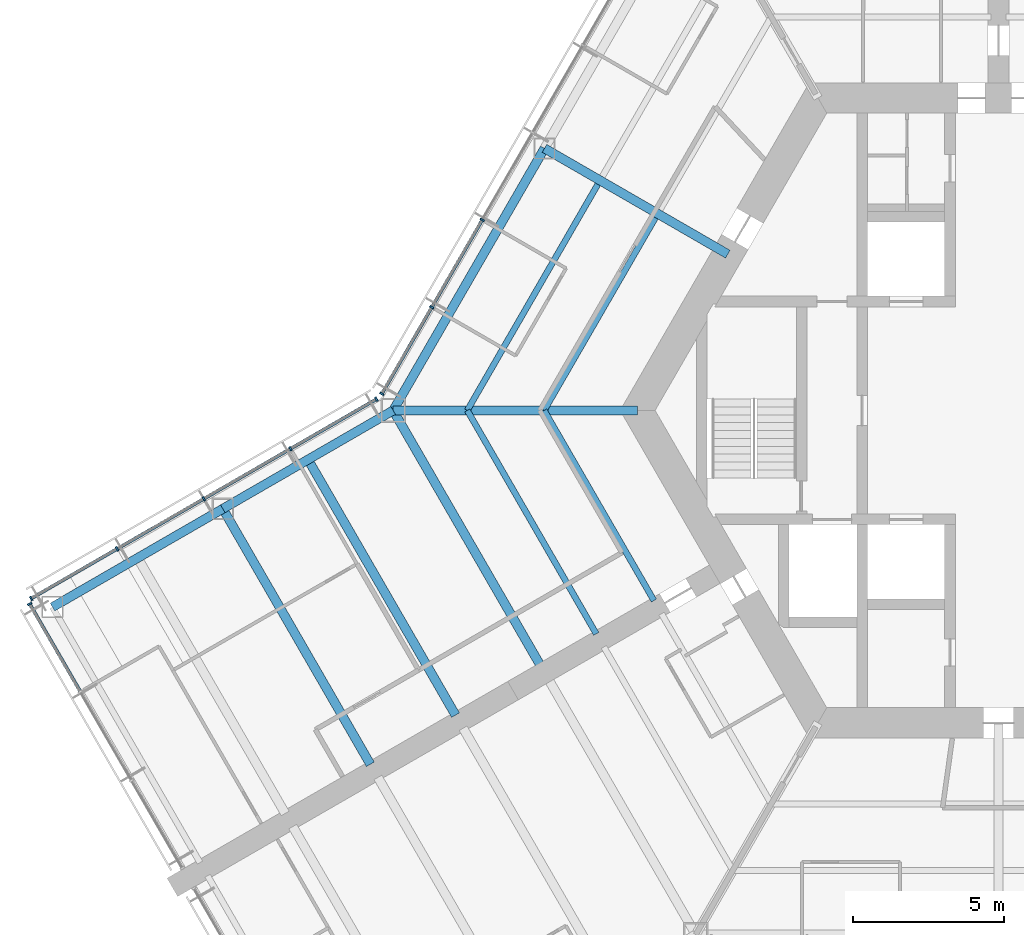
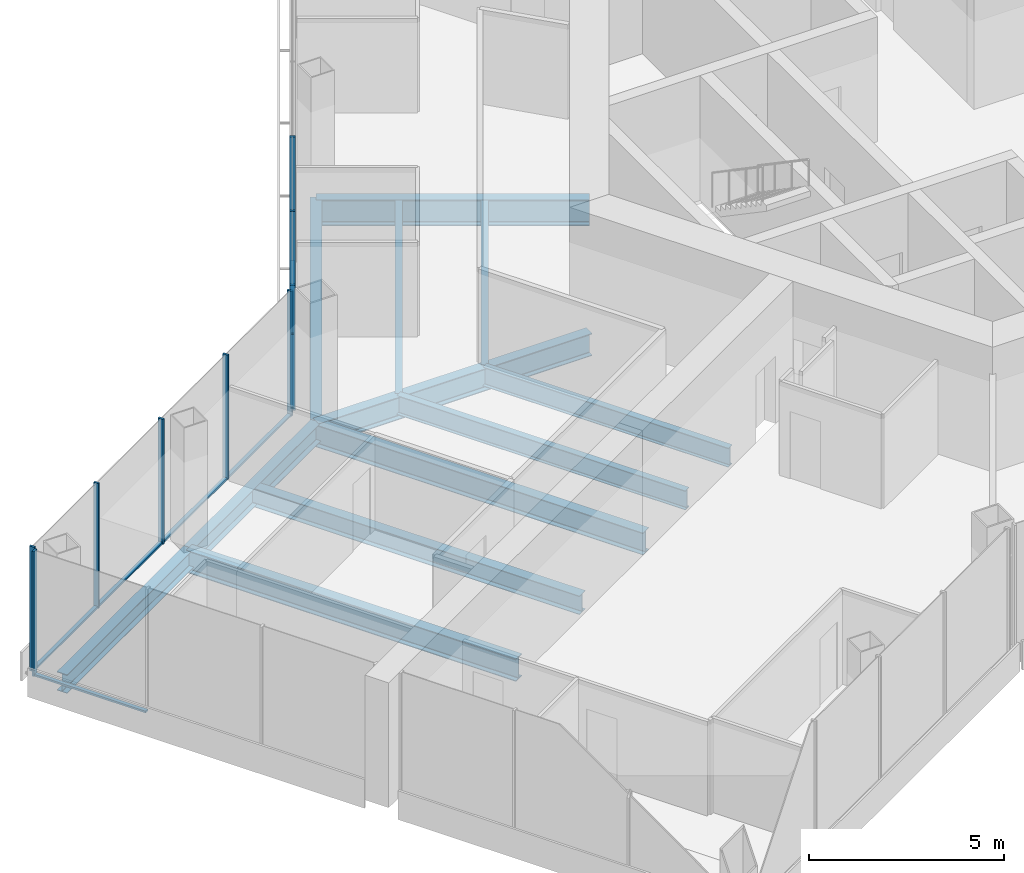
# One storey, part 4 of 18: 16 members, 12 beams, 3 elements without a shape of their own.
"""IFC4 building model written with IfcOpenShell, lengths in metres."""

from ifc_helpers import new_model, si_unit, direction, frame, origin, origin_2d, place, context, subcontext, project, spatial, rectangle, i_section, extrude, material, material_profile, profile_set, type_object, element, aggregate, save


model = new_model("IFC4")

# Units and contexts
model_context = context("Model", 3, precision=1e-05, world=origin(), true_north=direction((0.0, 1.0)))
body_context = subcontext(model_context, "Body", "Model", "MODEL_VIEW")
ifc_project = project(units=[si_unit("LENGTHUNIT", "METRE"), si_unit("AREAUNIT", "SQUARE_METRE"), si_unit("VOLUMEUNIT", "CUBIC_METRE"), si_unit("PLANEANGLEUNIT", "RADIAN"), si_unit("MASSUNIT", "GRAM", prefix="KILO")], contexts=[model_context])

# Site, building, storey
site_placement = place(None, origin())
site = spatial("IfcSite", under=ifc_project, at=site_placement, CompositionType="ELEMENT")
building_placement = place(site_placement, origin())
building = spatial("IfcBuilding", under=site, at=building_placement, Name="Kasaneha Research Tower", CompositionType="ELEMENT")
storey_placement = place(building_placement, frame((0.0, 0.0, 183.800048828125)))
storey = spatial("IfcBuildingStorey", under=building, at=storey_placement, Name="L46", CompositionType="ELEMENT", Elevation=183.800048828125)

# Beams
ifc_material_1 = material(Name="Steel SN490B", Category="steel")
ifc_material_profile_1 = material_profile(ifc_material_1, i_section(OverallWidth=0.199951171875, OverallDepth=0.60009765625, WebThickness=0.010986328125, FlangeThickness=0.01708984375, FilletRadius=0.012939453125, at=origin_2d()), Name="H-600x200x11x17")
ifc_profile_set_1 = profile_set([ifc_material_profile_1], Name="Steel SN490B")
beam_type_1 = type_object("IfcBeamType", Name="B1-3 secondary beam H-600x200x11x17", PredefinedType="JOIST", material=ifc_profile_set_1)
beam_1_placement = place(storey_placement, frame((-15.010986328125, 0.0, -0.449951171875), z_axis=(0.499994443168, 0.866028611999, 0.0), x_axis=(-0.866028611999, 0.499994443168, 0.0)))
element("IfcBeam", 1, at=beam_1_placement, inside=storey, type_object=beam_type_1, Name="Secondary beam RS150R1 L46", PredefinedType="JOIST", context=body_context, shape_type="SweptSolid", body=[
    extrude(i_section(OverallWidth=0.199951171875, OverallDepth=0.60009765625, WebThickness=0.010986328125, FlangeThickness=0.01708984375, FilletRadius=0.012939453125, at=origin_2d()), origin(), (0.0, 0.0, 1.0), 7.35546875),
])
beam_2_placement = place(storey_placement, frame((-17.551513671875, 0.0, -0.449951171875), z_axis=(0.5000050195, 0.866022505755, 0.0), x_axis=(-0.866022505755, 0.5000050195, 0.0)))
element("IfcBeam", 2, at=beam_2_placement, inside=storey, type_object=beam_type_1, Name="Secondary beam RS150R2 L46", PredefinedType="JOIST", context=body_context, shape_type="SweptSolid", body=[
    extrude(i_section(OverallWidth=0.199951171875, OverallDepth=0.60009765625, WebThickness=0.010986328125, FlangeThickness=0.01708984375, FilletRadius=0.012939453125, at=origin_2d()), origin(), (0.0, 0.0, 1.0), 8.6259765625),
])
beam_3_placement = place(storey_placement, frame((-15.010986328125, 0.0, -0.449951171875), z_axis=(0.499993340521, -0.866029248602, 0.0), x_axis=(0.866029248602, 0.499993340521, 0.0)))
element("IfcBeam", 3, at=beam_3_placement, inside=storey, type_object=beam_type_1, Name="Secondary beam RS210L1 L46", PredefinedType="JOIST", context=body_context, shape_type="SweptSolid", body=[
    extrude(i_section(OverallWidth=0.199951171875, OverallDepth=0.60009765625, WebThickness=0.010986328125, FlangeThickness=0.01708984375, FilletRadius=0.012939453125, at=origin_2d()), origin(), (0.0, 0.0, 1.0), 7.25537109375),
])
beam_4_placement = place(storey_placement, frame((-17.551513671875, 0.0, -0.449951171875), z_axis=(0.500004205306, -0.866022975836, 0.0), x_axis=(0.866022975836, 0.500004205306, 0.0)))
element("IfcBeam", 4, at=beam_4_placement, inside=storey, type_object=beam_type_1, Name="Secondary beam RS210L2 L46", PredefinedType="JOIST", context=body_context, shape_type="SweptSolid", body=[
    extrude(i_section(OverallWidth=0.199951171875, OverallDepth=0.60009765625, WebThickness=0.010986328125, FlangeThickness=0.01708984375, FilletRadius=0.012939453125, at=origin_2d()), origin(), (0.0, 0.0, 1.0), 8.52587890625),
])
ifc_material_2 = material(Name="Steel SN490B", Category="steel")
ifc_material_profile_2 = material_profile(ifc_material_2, i_section(OverallWidth=0.300048828125, OverallDepth=0.58203125, WebThickness=0.011962890625, FlangeThickness=0.01708984375, FilletRadius=0.012939453125, at=origin_2d()), Name="H-582x300x12x17")
ifc_profile_set_2 = profile_set([ifc_material_profile_2], Name="Steel SN490B")
beam_type_2 = type_object("IfcBeamType", Name="B2-3 secondary beam H-582x300x12x17", PredefinedType="JOIST", material=ifc_profile_set_2)
beam_5_placement = place(storey_placement, frame((-22.814697265625, -1.625, -0.441162109375), z_axis=(0.499995560238, -0.866027967067, 0.0), x_axis=(0.866027967067, 0.499995560238, 0.0)))
element("IfcBeam", 5, at=beam_5_placement, inside=storey, type_object=beam_type_2, Name="Secondary beam WBBP1 L46", PredefinedType="JOIST", context=body_context, shape_type="SweptSolid", body=[
    extrude(i_section(OverallWidth=0.300048828125, OverallDepth=0.58203125, WebThickness=0.011962890625, FlangeThickness=0.01708984375, FilletRadius=0.012939453125, at=origin_2d()), origin(), (0.0, 0.0, 1.0), 9.75),
])

# Curtain wall, members
ifc_material_3 = material(Name="Glass and aluminium", Category="aluminium")
curtain_wall_type = type_object("IfcCurtainWallType", Name="Mid-rise office curtain wall", PredefinedType="USERDEFINED", material=ifc_material_3)
curtain_wall_1_placement = place(storey_placement, origin())
curtain_wall_1 = element("IfcCurtainWall", 6, at=curtain_wall_1_placement, inside=storey, type_object=curtain_wall_type, Name="CW-O2 L46 run 08a", ObjectType="UNITISED CURTAIN WALL", PredefinedType="USERDEFINED")
ifc_material_4 = material(Name="Aluminium 6063-T6", Category="aluminium")
ifc_material_profile_3 = material_profile(ifc_material_4, rectangle(XDim=0.06005859375, YDim=0.14990234375, at=origin_2d()), Name="CW-O2 mullion 60x150")
ifc_profile_set_3 = profile_set([ifc_material_profile_3], Name="Aluminium 6063-T6")
member_type_1 = type_object("IfcMemberType", Name="CW-O2 mullion", PredefinedType="MULLION", material=ifc_profile_set_3)
member_1_placement = place(storey_placement, frame((-17.058349609375, 6.295166015625, 0.0), z_axis=(0.0, 0.0, 1.0), x_axis=(-0.499999979232, -0.866025415775, 0.0)))
member_1 = element("IfcMember", 7, at=member_1_placement, type_object=member_type_1, Name="CW-O2 mullion 5", PredefinedType="MULLION", context=body_context, shape_type="SweptSolid", body=[
    extrude(rectangle(XDim=0.06005859375, YDim=0.14990234375, at=origin_2d()), origin(), (0.0, 0.0, 1.0), 3.89990234375),
])
member_2_placement = place(storey_placement, frame((-18.723876953125, 3.410400390625, 0.0), z_axis=(0.0, 0.0, 1.0), x_axis=(-0.499999979232, -0.866025415775, 0.0)))
member_2 = element("IfcMember", 8, at=member_2_placement, type_object=member_type_1, Name="CW-O2 mullion 6", PredefinedType="MULLION", context=body_context, shape_type="SweptSolid", body=[
    extrude(rectangle(XDim=0.06005859375, YDim=0.14990234375, at=origin_2d()), origin(), (0.0, 0.0, 1.0), 3.89990234375),
])
member_3_placement = place(storey_placement, frame((-20.374267578125, 0.5517578125, 0.0), z_axis=(0.0, 0.0, 1.0), x_axis=(-0.499999979232, -0.866025415775, 0.0)))
member_3 = element("IfcMember", 9, at=member_3_placement, type_object=member_type_1, Name="CW-O2 mullion 7", PredefinedType="MULLION", context=body_context, shape_type="SweptSolid", body=[
    extrude(rectangle(XDim=0.06005859375, YDim=0.14990234375, at=origin_2d()), origin(), (0.0, 0.0, 1.0), 3.89990234375),
])

curtain_wall_2_placement = place(storey_placement, origin())
curtain_wall_2 = element("IfcCurtainWall", 10, at=curtain_wall_2_placement, inside=storey, type_object=curtain_wall_type, Name="CW-O2 L46 run 09a", ObjectType="UNITISED CURTAIN WALL", PredefinedType="USERDEFINED")
member_4_placement = place(storey_placement, frame((-20.5517578125, 0.374267578125, 0.0), z_axis=(0.0, 0.0, 1.0), x_axis=(-0.866025411464, -0.499999986699, 0.0)))
member_4 = element("IfcMember", 11, at=member_4_placement, type_object=member_type_1, Name="CW-O2 mullion 1", PredefinedType="MULLION", context=body_context, shape_type="SweptSolid", body=[
    extrude(rectangle(XDim=0.06005859375, YDim=0.14990234375, at=origin_2d()), origin(), (0.0, 0.0, 1.0), 3.89990234375),
])
member_5_placement = place(storey_placement, frame((-23.39208984375, -1.265625, 0.0), z_axis=(0.0, 0.0, 1.0), x_axis=(-0.866025411464, -0.499999986699, 0.0)))
member_5 = element("IfcMember", 12, at=member_5_placement, type_object=member_type_1, Name="CW-O2 mullion 2", PredefinedType="MULLION", context=body_context, shape_type="SweptSolid", body=[
    extrude(rectangle(XDim=0.06005859375, YDim=0.14990234375, at=origin_2d()), origin(), (0.0, 0.0, 1.0), 3.89990234375),
])
member_6_placement = place(storey_placement, frame((-26.258544921875, -2.920654296875, 0.0), z_axis=(0.0, 0.0, 1.0), x_axis=(-0.866025411464, -0.499999986699, 0.0)))
member_6 = element("IfcMember", 13, at=member_6_placement, type_object=member_type_1, Name="CW-O2 mullion 3", PredefinedType="MULLION", context=body_context, shape_type="SweptSolid", body=[
    extrude(rectangle(XDim=0.06005859375, YDim=0.14990234375, at=origin_2d()), origin(), (0.0, 0.0, 1.0), 3.89990234375),
])
member_7_placement = place(storey_placement, frame((-29.125, -4.575439453125, 0.0), z_axis=(0.0, 0.0, 1.0), x_axis=(-0.866025411464, -0.499999986699, 0.0)))
member_7 = element("IfcMember", 14, at=member_7_placement, type_object=member_type_1, Name="CW-O2 mullion 4", PredefinedType="MULLION", context=body_context, shape_type="SweptSolid", body=[
    extrude(rectangle(XDim=0.06005859375, YDim=0.14990234375, at=origin_2d()), origin(), (0.0, 0.0, 1.0), 3.89990234375),
])
member_8_placement = place(storey_placement, frame((-31.96533203125, -6.21533203125, 0.0), z_axis=(0.0, 0.0, 1.0), x_axis=(-0.866025411464, -0.499999986699, 0.0)))
member_8 = element("IfcMember", 15, at=member_8_placement, type_object=member_type_1, Name="CW-O2 mullion 5", PredefinedType="MULLION", context=body_context, shape_type="SweptSolid", body=[
    extrude(rectangle(XDim=0.06005859375, YDim=0.14990234375, at=origin_2d()), origin(), (0.0, 0.0, 1.0), 3.89990234375),
])

# Curtain wall, member
curtain_wall_3_placement = place(storey_placement, origin())
curtain_wall_3 = element("IfcCurtainWall", 16, at=curtain_wall_3_placement, inside=storey, type_object=curtain_wall_type, Name="CW-O2 L46 run 10a", ObjectType="UNITISED CURTAIN WALL", PredefinedType="USERDEFINED")
member_9_placement = place(storey_placement, frame((-32.012939453125, -6.39306640625, 0.0), z_axis=(0.0, 0.0, 1.0), x_axis=(0.500000011442, -0.866025397178, 0.0)))
member_9 = element("IfcMember", 17, at=member_9_placement, type_object=member_type_1, Name="CW-O2 mullion 1", PredefinedType="MULLION", context=body_context, shape_type="SweptSolid", body=[
    extrude(rectangle(XDim=0.06005859375, YDim=0.14990234375, at=origin_2d()), origin(), (0.0, 0.0, 1.0), 3.89990234375),
])

# Member
ifc_material_5 = material(Name="Aluminium 6063-T6", Category="aluminium")
ifc_material_profile_4 = material_profile(ifc_material_5, rectangle(XDim=0.110107421875, YDim=0.06005859375, at=origin_2d()), Name="CW-O2 transom 110x60")
ifc_profile_set_4 = profile_set([ifc_material_profile_4], Name="Aluminium 6063-T6")
member_type_2 = type_object("IfcMemberType", Name="CW-O2 transom", PredefinedType="USERDEFINED", material=ifc_profile_set_4)
member_10_placement = place(storey_placement, frame((-17.0732421875, 6.269287109375, 0.030029296875), z_axis=(-0.500000270186, -0.866025247793, 0.0), x_axis=(0.866025247793, -0.500000270186, 0.0)))
member_10 = element("IfcMember", 18, at=member_10_placement, type_object=member_type_2, Name="CW-O2 transom 5", ObjectType="TRANSOM", PredefinedType="USERDEFINED", context=body_context, shape_type="SweptSolid", body=[
    extrude(rectangle(XDim=0.110107421875, YDim=0.06005859375, at=origin_2d()), origin(), (0.0, 0.0, 1.0), 3.27099609375),
])

member_11_placement = place(storey_placement, frame((-18.73876953125, 3.384521484375, 0.030029296875), z_axis=(-0.499987643696, -0.866032537582, 0.0), x_axis=(0.866032537582, -0.499987643696, 0.0)))
member_11 = element("IfcMember", 19, at=member_11_placement, type_object=member_type_2, Name="CW-O2 transom 6", ObjectType="TRANSOM", PredefinedType="USERDEFINED", context=body_context, shape_type="SweptSolid", body=[
    extrude(rectangle(XDim=0.110107421875, YDim=0.06005859375, at=origin_2d()), origin(), (0.0, 0.0, 1.0), 3.24072265625),
])

aggregate(curtain_wall_1, [member_1, member_2, member_3, member_10, member_11])

member_12_placement = place(storey_placement, frame((-20.577880859375, 0.359130859375, 0.030029296875), z_axis=(-0.866022692473, -0.500004696101, 0.0), x_axis=(0.500004696101, -0.866022692473, 0.0)))
member_12 = element("IfcMember", 20, at=member_12_placement, type_object=member_type_2, Name="CW-O2 transom 1", ObjectType="TRANSOM", PredefinedType="USERDEFINED", context=body_context, shape_type="SweptSolid", body=[
    extrude(rectangle(XDim=0.110107421875, YDim=0.06005859375, at=origin_2d()), origin(), (0.0, 0.0, 1.0), 3.2197265625),
])

member_13_placement = place(storey_placement, frame((-23.418212890625, -1.28076171875, 0.030029296875), z_axis=(-0.86604797581, -0.499960902066, 0.0), x_axis=(0.499960902066, -0.86604797581, 0.0)))
member_13 = element("IfcMember", 21, at=member_13_placement, type_object=member_type_2, Name="CW-O2 transom 2", ObjectType="TRANSOM", PredefinedType="USERDEFINED", context=body_context, shape_type="SweptSolid", body=[
    extrude(rectangle(XDim=0.110107421875, YDim=0.06005859375, at=origin_2d()), origin(), (0.0, 0.0, 1.0), 3.249755859375),
])

member_14_placement = place(storey_placement, frame((-26.28466796875, -2.935546875, 0.030029296875), z_axis=(-0.86599666273, -0.500049777664, 0.0), x_axis=(0.500049777664, -0.86599666273, 0.0)))
member_14 = element("IfcMember", 22, at=member_14_placement, type_object=member_type_2, Name="CW-O2 transom 3", ObjectType="TRANSOM", PredefinedType="USERDEFINED", context=body_context, shape_type="SweptSolid", body=[
    extrude(rectangle(XDim=0.110107421875, YDim=0.06005859375, at=origin_2d()), origin(), (0.0, 0.0, 1.0), 3.249755859375),
])

member_15_placement = place(storey_placement, frame((-29.15087890625, -4.590576171875, 0.030029296875), z_axis=(-0.866041647767, -0.499971863542, 0.0), x_axis=(0.499971863542, -0.866041647767, 0.0)))
member_15 = element("IfcMember", 23, at=member_15_placement, type_object=member_type_2, Name="CW-O2 transom 4", ObjectType="TRANSOM", PredefinedType="USERDEFINED", context=body_context, shape_type="SweptSolid", body=[
    extrude(rectangle(XDim=0.110107421875, YDim=0.06005859375, at=origin_2d()), origin(), (0.0, 0.0, 1.0), 3.219970703125),
])

aggregate(curtain_wall_2, [member_4, member_5, member_6, member_7, member_8, member_12, member_13, member_14, member_15])

member_16_placement = place(storey_placement, frame((-31.998046875, -6.4189453125, 0.030029296875), z_axis=(0.500021914551, -0.866012751043, 0.0), x_axis=(0.866012751043, 0.500021914551, 0.0)))
member_16 = element("IfcMember", 24, at=member_16_placement, type_object=member_type_2, Name="CW-O2 transom 1", ObjectType="TRANSOM", PredefinedType="USERDEFINED", context=body_context, shape_type="SweptSolid", body=[
    extrude(rectangle(XDim=0.110107421875, YDim=0.06005859375, at=origin_2d()), origin(), (0.0, 0.0, 1.0), 3.293212890625),
])

aggregate(curtain_wall_3, [member_9, member_16])

# Beams
ifc_material_6 = material(Name="Steel SN490B", Category="steel")
ifc_material_profile_5 = material_profile(ifc_material_6, i_section(OverallWidth=0.300048828125, OverallDepth=0.699951171875, WebThickness=0.012939453125, FlangeThickness=0.02392578125, FilletRadius=0.01806640625, at=origin_2d()), Name="H-700x300x13x24")
ifc_profile_set_5 = profile_set([ifc_material_profile_5], Name="Steel SN490B")
beam_type_3 = type_object("IfcBeamType", Name="G1-3 radial girder H-700x300x13x24", PredefinedType="BEAM", material=ifc_profile_set_5)
beam_6_placement = place(storey_placement, frame((-11.92236328125, 0.0, -0.5), z_axis=(-1.0, 0.0, 0.0), x_axis=(0.0, -1.0, 0.0)))
element("IfcBeam", 25, at=beam_6_placement, inside=storey, type_object=beam_type_3, Name="Radial girder RV180 L46", PredefinedType="BEAM", context=body_context, shape_type="SweptSolid", body=[
    extrude(i_section(OverallWidth=0.300048828125, OverallDepth=0.699951171875, WebThickness=0.012939453125, FlangeThickness=0.02392578125, FilletRadius=0.01806640625, at=origin_2d()), origin(), (0.0, 0.0, 1.0), 8.07763671875),
])
ifc_material_7 = material(Name="Steel SN490B", Category="steel")
ifc_material_profile_6 = material_profile(ifc_material_7, i_section(OverallWidth=0.300048828125, OverallDepth=0.800048828125, WebThickness=0.013916015625, FlangeThickness=0.02587890625, FilletRadius=0.01806640625, at=origin_2d()), Name="H-800x300x14x26")
ifc_profile_set_6 = profile_set([ifc_material_profile_6], Name="Steel SN490B")
beam_type_4 = type_object("IfcBeamType", Name="G2-3 radial girder H-800x300x14x26", PredefinedType="BEAM", material=ifc_profile_set_6)
beam_7_placement = place(storey_placement, frame((-8.941650390625, 5.16259765625, -0.550048828125), z_axis=(-0.866039713508, 0.499975214012, 0.0), x_axis=(-0.499975214012, -0.866039713508, 0.0)))
element("IfcBeam", 26, at=beam_7_placement, inside=storey, type_object=beam_type_4, Name="Radial girder RM150 L46", PredefinedType="BEAM", context=body_context, shape_type="SweptSolid", body=[
    extrude(i_section(OverallWidth=0.300048828125, OverallDepth=0.800048828125, WebThickness=0.013916015625, FlangeThickness=0.02587890625, FilletRadius=0.01806640625, at=origin_2d()), origin(), (0.0, 0.0, 1.0), 6.995361328125),
])
ifc_material_8 = material(Name="Steel SN490B", Category="steel")
ifc_material_profile_7 = material_profile(ifc_material_8, i_section(OverallWidth=0.300048828125, OverallDepth=0.69189453125, WebThickness=0.012939453125, FlangeThickness=0.02001953125, FilletRadius=0.01806640625, at=origin_2d()), Name="H-692x300x13x20")
ifc_profile_set_7 = profile_set([ifc_material_profile_7], Name="Steel SN490B")
beam_type_5 = type_object("IfcBeamType", Name="G3-3 plate edge girder H-692x300x13x20", PredefinedType="BEAM", material=ifc_profile_set_7)
beam_8_placement = place(storey_placement, frame((-20.0, 0.0, -0.49609375), z_axis=(0.499995560238, -0.866027967067, 0.0), x_axis=(0.866027967067, 0.499995560238, 0.0)))
element("IfcBeam", 27, at=beam_8_placement, inside=storey, type_object=beam_type_5, Name="Plate edge girder PEBP L46", PredefinedType="BEAM", context=body_context, shape_type="SweptSolid", body=[
    extrude(i_section(OverallWidth=0.300048828125, OverallDepth=0.69189453125, WebThickness=0.012939453125, FlangeThickness=0.02001953125, FilletRadius=0.01806640625, at=origin_2d()), origin(), (0.0, 0.0, 1.0), 9.75),
])
ifc_material_9 = material(Name="Steel SN490B", Category="steel")
ifc_material_profile_8 = material_profile(ifc_material_9, i_section(OverallWidth=0.300048828125, OverallDepth=0.699951171875, WebThickness=0.012939453125, FlangeThickness=0.02392578125, FilletRadius=0.01806640625, at=origin_2d()), Name="H-700x300x13x24")
ifc_profile_set_8 = profile_set([ifc_material_profile_8], Name="Steel SN490B")
beam_type_6 = type_object("IfcBeamType", Name="G4-3 wing girder H-700x300x13x24", PredefinedType="BEAM", material=ifc_profile_set_8)
beam_9_placement = place(storey_placement, frame((-25.629150390625, -3.25, -0.5), z_axis=(0.499995560238, -0.866027967067, 0.0), x_axis=(0.866027967067, 0.499995560238, 0.0)))
element("IfcBeam", 28, at=beam_9_placement, inside=storey, type_object=beam_type_6, Name="Wing girder WGBP L46", PredefinedType="BEAM", context=body_context, shape_type="SweptSolid", body=[
    extrude(i_section(OverallWidth=0.300048828125, OverallDepth=0.699951171875, WebThickness=0.012939453125, FlangeThickness=0.02392578125, FilletRadius=0.01806640625, at=origin_2d()), origin(), (0.0, 0.0, 1.0), 9.75),
])
ifc_material_10 = material(Name="Steel SN490B", Category="steel")
ifc_material_profile_9 = material_profile(ifc_material_10, i_section(OverallWidth=0.300048828125, OverallDepth=0.69189453125, WebThickness=0.012939453125, FlangeThickness=0.02001953125, FilletRadius=0.01806640625, at=origin_2d()), Name="H-692x300x13x20")
ifc_profile_set_9 = profile_set([ifc_material_profile_9], Name="Steel SN490B")
beam_type_7 = type_object("IfcBeamType", Name="SB1-3 spandrel beam H-692x300x13x20", PredefinedType="SPANDREL", material=ifc_profile_set_9)
beam_10_placement = place(storey_placement, frame((-20.0, 0.0, -0.49609375), z_axis=(0.500004234368, 0.866022959057, 0.0), x_axis=(-0.866022959057, 0.500004234368, 0.0)))
element("IfcBeam", 29, at=beam_10_placement, inside=storey, type_object=beam_type_7, Name="Spandrel beam SR150R L46", PredefinedType="SPANDREL", context=body_context, shape_type="SweptSolid", body=[
    extrude(i_section(OverallWidth=0.300048828125, OverallDepth=0.69189453125, WebThickness=0.012939453125, FlangeThickness=0.02001953125, FilletRadius=0.01806640625, at=origin_2d()), origin(), (0.0, 0.0, 1.0), 10.0),
])
ifc_material_11 = material(Name="Steel SN490B", Category="steel")
ifc_material_profile_10 = material_profile(ifc_material_11, i_section(OverallWidth=0.300048828125, OverallDepth=0.58203125, WebThickness=0.011962890625, FlangeThickness=0.01708984375, FilletRadius=0.012939453125, at=origin_2d()), Name="H-582x300x12x17")
ifc_profile_set_10 = profile_set([ifc_material_profile_10], Name="Steel SN490B")
beam_type_8 = type_object("IfcBeamType", Name="SB2-3 spandrel beam H-582x300x12x17", PredefinedType="SPANDREL", material=ifc_profile_set_10)
for number, where, z_axis, x_axis, name in (
    (30, (-20.0, 0.0, -0.441162109375), (-0.866024837091, -0.50000098154, 0.0), (0.50000098154, -0.866024837091, 0.0), "Spandrel beam WSBP1 L46"),
    (31, (-25.629150390625, -3.25, -0.441162109375), (-0.866024837091, -0.50000098154, 0.0), (0.50000098154, -0.866024837091, 0.0), "Spandrel beam WSBP2 L46"),
):
    element("IfcBeam", number, at=place(storey_placement, frame(where, z_axis=z_axis, x_axis=x_axis)), inside=storey, type_object=beam_type_8, Name=name, PredefinedType="SPANDREL", context=body_context, shape_type="SweptSolid", body=[
        extrude(i_section(OverallWidth=0.300048828125, OverallDepth=0.58203125, WebThickness=0.011962890625, FlangeThickness=0.01708984375, FilletRadius=0.012939453125, at=origin_2d()), origin(), (0.0, 0.0, 1.0), 6.5),
    ])

save(model, "model.ifc")
